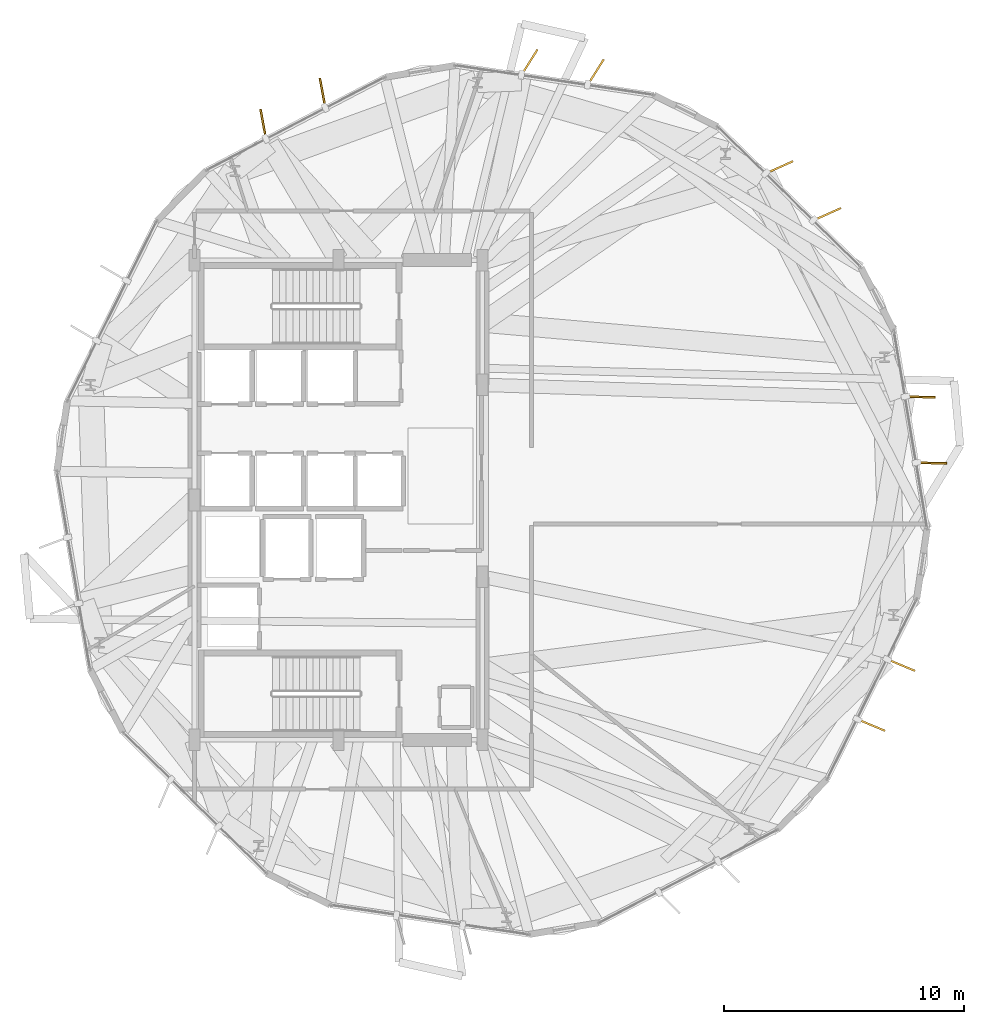
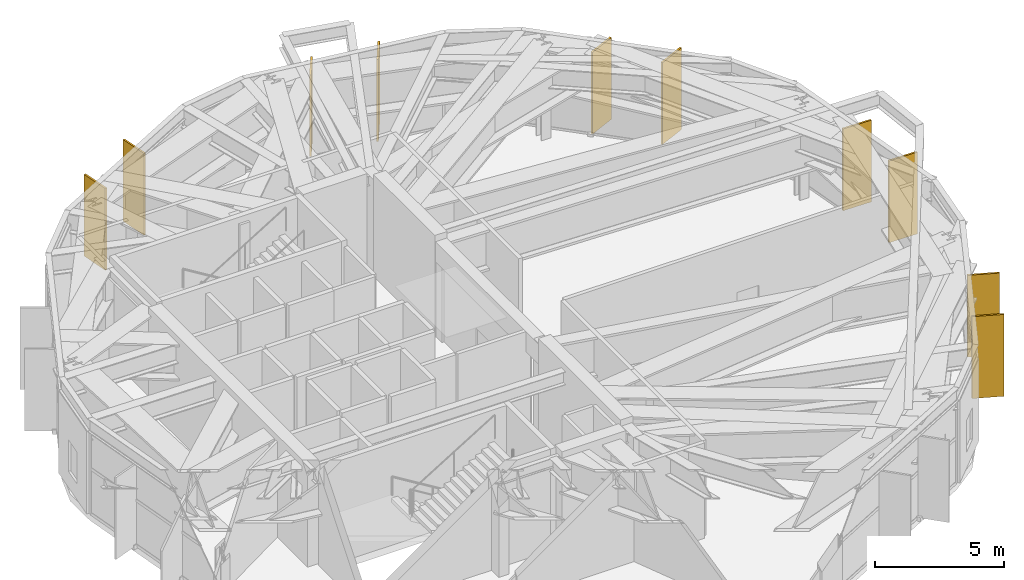
# One storey, part 27 of 27: 10 shading devices.
"""IFC4 building model written with IfcOpenShell, lengths in metres."""

from ifc_helpers import new_model, si_unit, direction, frame, origin, origin_2d, place, context, subcontext, project, spatial, rectangle, extrude, material, layer, layer_set, type_object, element, save


model = new_model("IFC4")

# Units and contexts
model_context = context("Model", 3, precision=1e-05, world=origin(), true_north=direction((0.0, 1.0)))
body_context = subcontext(model_context, "Body", "Model", "MODEL_VIEW")
ifc_project = project(units=[si_unit("LENGTHUNIT", "METRE"), si_unit("AREAUNIT", "SQUARE_METRE"), si_unit("VOLUMEUNIT", "CUBIC_METRE"), si_unit("PLANEANGLEUNIT", "RADIAN"), si_unit("MASSUNIT", "GRAM", prefix="KILO")], contexts=[model_context])

# Site, building, storey
site_placement = place(None, origin())
site = spatial("IfcSite", under=ifc_project, at=site_placement, CompositionType="ELEMENT")
building_placement = place(site_placement, origin())
building = spatial("IfcBuilding", under=site, at=building_placement, Name="Soratama Intermodal Tower", CompositionType="ELEMENT")
storey_placement = place(building_placement, frame((0.0, 0.0, 134.199951171875)))
storey = spatial("IfcBuildingStorey", under=building, at=storey_placement, Name="L32", CompositionType="ELEMENT", Elevation=134.199951171875)

# Shading devices
ifc_material = material(Name="Champagne anodised aluminium solar fin", Category="aluminium")
ifc_layer = layer(ifc_material, 0.080078125)
ifc_layer_set = layer_set([ifc_layer], Name="Champagne anodised aluminium solar fin")
shading_device_type = type_object("IfcShadingDeviceType", Name="SH-FIN-1250", PredefinedType="USERDEFINED", material=ifc_layer_set)
for number, where, z_axis, x_axis, name in (
    (1, (58.974853515625, 36.912109375, 0.02001953125), (0.0, 0.0, 1.0), (0.912406074136, 0.40928615403, 0.0), "L32 Solar Fin F01-1"),
    (2, (56.982177734375, 38.86767578125, 0.02001953125), (0.0, 0.0, 1.0), (0.912406074136, 0.40928615403, 0.0), "L32 Solar Fin F01-2"),
    (3, (49.32666015625, 42.837890625, 0.02001953125), (0.0, 0.0, 1.0), (0.532285391986, 0.846564977706, 0.0), "L32 Solar Fin F02-1"),
    (4, (46.56494140625, 43.24853515625, 0.02001953125), (0.0, 0.0, 1.0), (0.532285391986, 0.846564977706, 0.0), "L32 Solar Fin F02-2"),
    (5, (37.9404296875, 41.964599609375, 0.02001953125), (0.0, 0.0, 1.0), (-0.183436661675, 0.983031531108, 0.0), "L32 Solar Fin F03-1"),
    (6, (35.464599609375, 40.673828125, 0.02001953125), (0.0, 0.0, 1.0), (-0.183436661675, 0.983031531108, 0.0), "L32 Solar Fin F03-2"),
    (7, (60.8095703125, 15.619140625, 0.02001953125), (0.0, 0.0, 1.0), (0.922470722095, -0.386067049717, 0.0), "L32 Solar Fin F09-1"),
    (8, (62.0537109375, 18.118896484375, 0.02001953125), (0.0, 0.0, 1.0), (0.922470722095, -0.386067049717, 0.0), "L32 Solar Fin F09-2"),
    (9, (63.3212890625, 26.539794921875, 0.02001953125), (0.0, 0.0, 1.0), (0.999718303037, -0.023734248954, 0.0), "L32 Solar Fin F10-1"),
    (10, (62.8583984375, 29.293212890625, 0.02001953125), (0.0, 0.0, 1.0), (0.999718303037, -0.023734248954, 0.0), "L32 Solar Fin F10-2"),
):
    element("IfcShadingDevice", number, at=place(storey_placement, frame(where, z_axis=z_axis, x_axis=x_axis)), inside=storey, type_object=shading_device_type, Name=name, ObjectType="FIN", PredefinedType="USERDEFINED", context=body_context, shape_type="SweptSolid", body=[
        extrude(rectangle(XDim=1.25, YDim=0.080078125, at=origin_2d()), origin(), (0.0, 0.0, 1.0), 3.85888671875),
    ])

save(model, "model.ifc")
